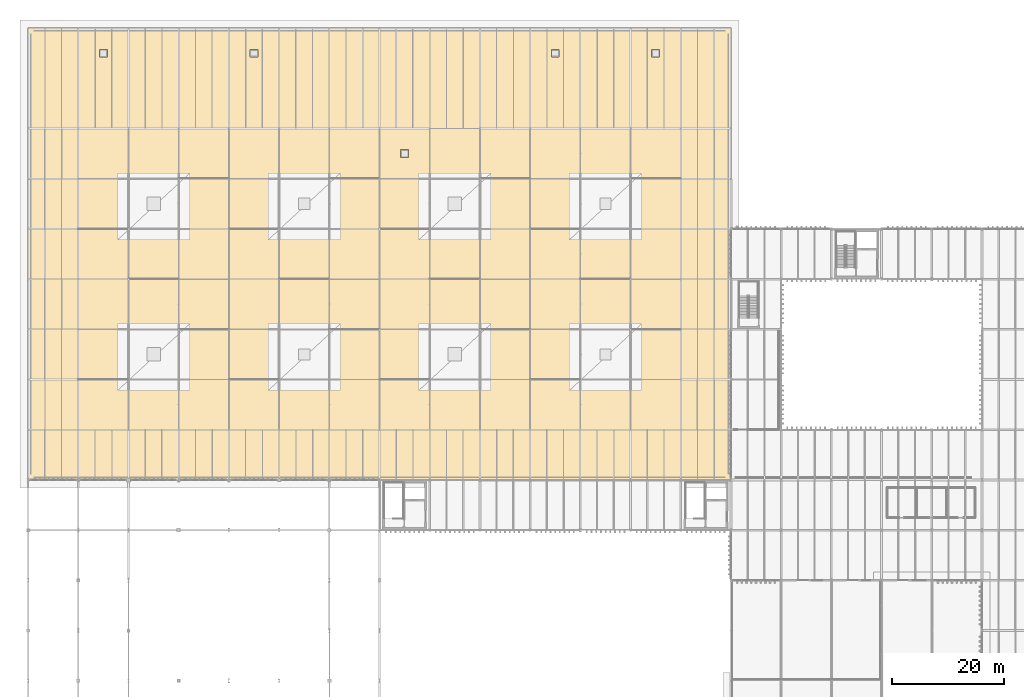
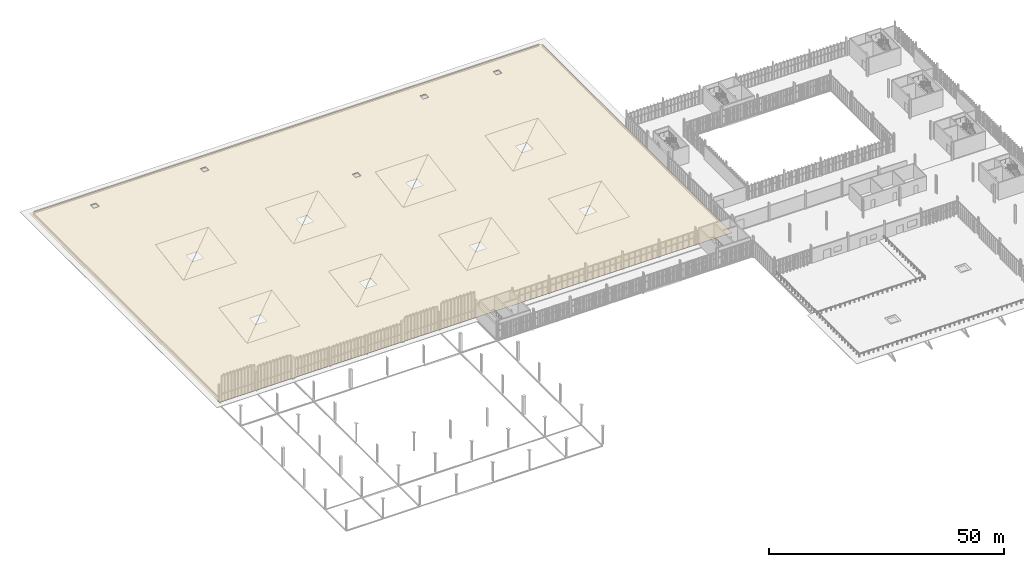
# One storey, part 187 of 196: 1 covering.
"""IFC4 building model written with IfcOpenShell, lengths in metres."""

from ifc_helpers import new_model, si_unit, direction, frame, origin, place, context, subcontext, project, spatial, polyline, outline, extrude, material, layer, layer_set, type_object, element, save


model = new_model("IFC4")

# Units and contexts
model_context = context("Model", 3, precision=1e-05, world=origin(), true_north=direction((0.0, 1.0)))
body_context = subcontext(model_context, "Body", "Model", "MODEL_VIEW")
ifc_project = project(units=[si_unit("LENGTHUNIT", "METRE"), si_unit("AREAUNIT", "SQUARE_METRE"), si_unit("VOLUMEUNIT", "CUBIC_METRE"), si_unit("PLANEANGLEUNIT", "RADIAN"), si_unit("MASSUNIT", "GRAM", prefix="KILO")], contexts=[model_context])

# Site, building, storey
site_placement = place(None, origin())
site = spatial("IfcSite", under=ifc_project, at=site_placement, CompositionType="ELEMENT")
building_placement = place(site_placement, origin())
building = spatial("IfcBuilding", under=site, at=building_placement, Name="Barlavento Convention Centre", CompositionType="ELEMENT")
storey_placement = place(building_placement, frame((0.0, 0.0, 18.0)))
storey = spatial("IfcBuildingStorey", under=building, at=storey_placement, Name="L03", CompositionType="ELEMENT", Elevation=18.0)

# Covering
ifc_material = material(Name="Insulated typhoon waterproof roofing membrane")
ifc_layer = layer(ifc_material, 0.0400390625)
ifc_layer_set = layer_set([ifc_layer], Name="ARC-COV-ROOFING-40")
covering_type = type_object("IfcCoveringType", Name="ARC-COV-ROOFING-40", PredefinedType="ROOFING", material=ifc_layer_set)
covering_placement = place(storey_placement, frame((0.0, 0.0, 0.050048828125)))
element("IfcCovering", 1, at=covering_placement, inside=storey, type_object=covering_type, Name="L03 insulated waterproof roof covering", PredefinedType="ROOFING", context=body_context, shape_type="SweptSolid", body=[
    extrude(outline(polyline([(0.0, 54.0), (126.0, 54.0), (126.0, 135.0), (0.0, 135.0), (0.0, 54.0)]), holes=[polyline([(21.14990234375, 75.14990234375), (23.85009765625, 75.14990234375), (23.85009765625, 77.85009765625), (21.14990234375, 77.85009765625), (21.14990234375, 75.14990234375)]), polyline([(48.14990234375, 75.14990234375), (50.85009765625, 75.14990234375), (50.85009765625, 77.85009765625), (48.14990234375, 77.85009765625), (48.14990234375, 75.14990234375)]), polyline([(75.14990234375, 75.14990234375), (77.85009765625, 75.14990234375), (77.85009765625, 77.85009765625), (75.14990234375, 77.85009765625), (75.14990234375, 75.14990234375)]), polyline([(102.14990234375, 75.14990234375), (104.85009765625, 75.14990234375), (104.85009765625, 77.85009765625), (102.14990234375, 77.85009765625), (102.14990234375, 75.14990234375)]), polyline([(21.14990234375, 102.14990234375), (23.85009765625, 102.14990234375), (23.85009765625, 104.85009765625), (21.14990234375, 104.85009765625), (21.14990234375, 102.14990234375)]), polyline([(48.14990234375, 102.14990234375), (50.85009765625, 102.14990234375), (50.85009765625, 104.85009765625), (48.14990234375, 104.85009765625), (48.14990234375, 102.14990234375)]), polyline([(75.14990234375, 102.14990234375), (77.85009765625, 102.14990234375), (77.85009765625, 104.85009765625), (75.14990234375, 104.85009765625), (75.14990234375, 102.14990234375)]), polyline([(102.14990234375, 102.14990234375), (104.85009765625, 102.14990234375), (104.85009765625, 104.85009765625), (102.14990234375, 104.85009765625), (102.14990234375, 102.14990234375)]), polyline([(12.800048828125, 129.800048828125), (14.199951171875, 129.800048828125), (14.199951171875, 131.199951171875), (12.800048828125, 131.199951171875), (12.800048828125, 129.800048828125)]), polyline([(39.800048828125, 129.800048828125), (41.199951171875, 129.800048828125), (41.199951171875, 131.199951171875), (39.800048828125, 131.199951171875), (39.800048828125, 129.800048828125)]), polyline([(66.800048828125, 111.800048828125), (68.199951171875, 111.800048828125), (68.199951171875, 113.199951171875), (66.800048828125, 113.199951171875), (66.800048828125, 111.800048828125)]), polyline([(93.800048828125, 129.800048828125), (95.199951171875, 129.800048828125), (95.199951171875, 131.199951171875), (93.800048828125, 131.199951171875), (93.800048828125, 129.800048828125)]), polyline([(111.800048828125, 129.800048828125), (113.199951171875, 129.800048828125), (113.199951171875, 131.199951171875), (111.800048828125, 131.199951171875), (111.800048828125, 129.800048828125)])]), origin(), (0.0, 0.0, 1.0), 0.0400390625),
])

save(model, "model.ifc")
